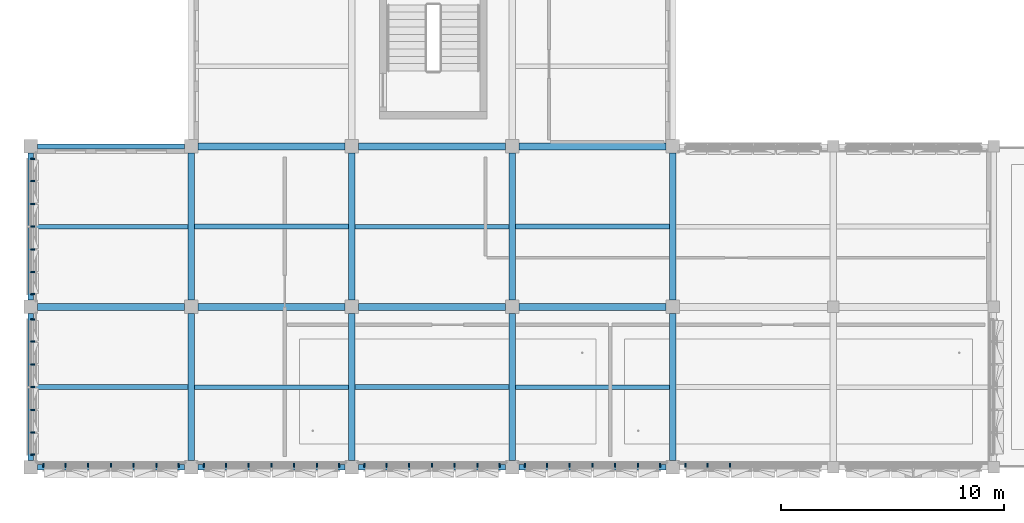
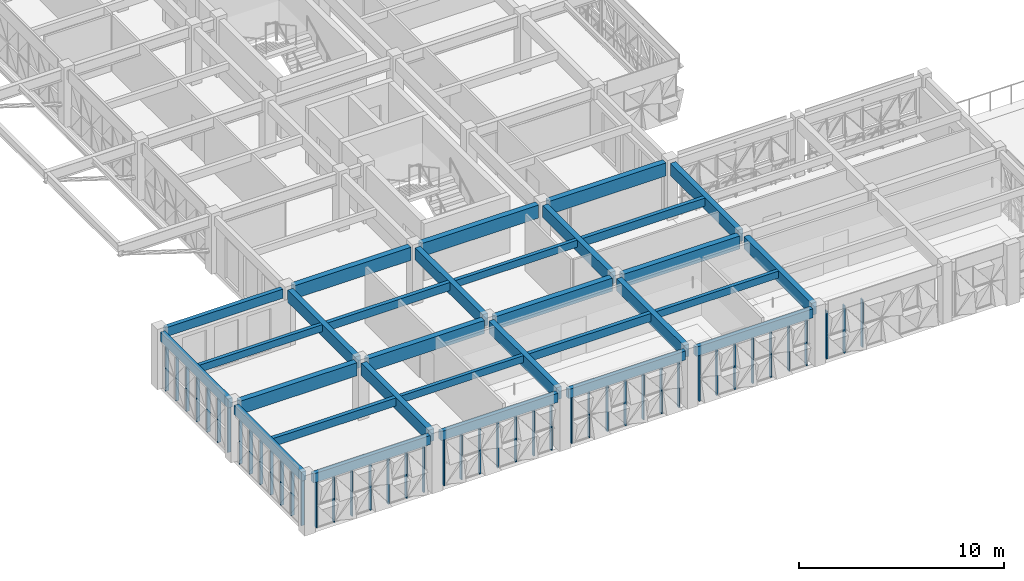
# One storey, part 2 of 99: 45 members, 30 beams, 7 elements without a shape of their own.
"""IFC4 building model written with IfcOpenShell, lengths in metres."""

from ifc_helpers import new_model, si_unit, direction, frame, origin, origin_2d, place, context, subcontext, project, spatial, rectangle, extrude, material, material_profile, profile_set, type_object, element, aggregate, save


model = new_model("IFC4")

# Units and contexts
model_context = context("Model", 3, precision=1e-05, world=origin(), true_north=direction((0.0, 1.0)))
body_context = subcontext(model_context, "Body", "Model", "MODEL_VIEW")
ifc_project = project(units=[si_unit("LENGTHUNIT", "METRE"), si_unit("AREAUNIT", "SQUARE_METRE"), si_unit("VOLUMEUNIT", "CUBIC_METRE"), si_unit("PLANEANGLEUNIT", "RADIAN"), si_unit("MASSUNIT", "GRAM", prefix="KILO")], contexts=[model_context])

# Site, building, storey
site_placement = place(None, origin())
site = spatial("IfcSite", under=ifc_project, at=site_placement, CompositionType="ELEMENT")
building_placement = place(site_placement, origin())
building = spatial("IfcBuilding", under=site, at=building_placement, Name="Alvorim Cloister Faculty of Sciences", CompositionType="ELEMENT")
storey_placement = place(building_placement, frame((0.0, 0.0, 12.14990234375)))
storey = spatial("IfcBuildingStorey", under=building, at=storey_placement, Name="L03", CompositionType="ELEMENT", Elevation=12.14990234375)

# Beams
ifc_material_1 = material(Name="Glulam GL32h", Category="wood")
ifc_material_profile_1 = material_profile(ifc_material_1, rectangle(XDim=0.300048828125, YDim=0.719970703125, at=origin_2d()), Name="GL32-BM-300x720")
ifc_profile_set_1 = profile_set([ifc_material_profile_1], Name="Glulam GL32h")
beam_type_1 = type_object("IfcBeamType", Name="BM-GL-300x720", PredefinedType="BEAM", material=ifc_profile_set_1)
beam_1_placement = place(storey_placement, frame((7.199951171875, 0.300048828125, 3.030029296875), z_axis=(0.0, 1.0, 0.0), x_axis=(-1.0, 0.0, 0.0)))
element("IfcBeam", 1, at=beam_1_placement, inside=storey, type_object=beam_type_1, Name="L03 Primary Girder BM-1586", PredefinedType="BEAM", context=body_context, shape_type="SweptSolid", body=[
    extrude(rectangle(XDim=0.300048828125, YDim=0.719970703125, at=origin_2d()), origin(), (0.0, 0.0, 1.0), 6.599853515625),
])
beam_2_placement = place(storey_placement, frame((7.199951171875, 7.5, 3.030029296875), z_axis=(0.0, 1.0, 0.0), x_axis=(-1.0, 0.0, 0.0)))
element("IfcBeam", 2, at=beam_2_placement, inside=storey, type_object=beam_type_1, Name="L03 Primary Girder BM-1587", PredefinedType="BEAM", context=body_context, shape_type="SweptSolid", body=[
    extrude(rectangle(XDim=0.300048828125, YDim=0.719970703125, at=origin_2d()), origin(), (0.0, 0.0, 1.0), 6.60009765625),
])
beam_3_placement = place(storey_placement, frame((14.39990234375, 0.300048828125, 3.030029296875), z_axis=(0.0, 1.0, 0.0), x_axis=(-1.0, 0.0, 0.0)))
element("IfcBeam", 3, at=beam_3_placement, inside=storey, type_object=beam_type_1, Name="L03 Primary Girder BM-1602", PredefinedType="BEAM", context=body_context, shape_type="SweptSolid", body=[
    extrude(rectangle(XDim=0.300048828125, YDim=0.719970703125, at=origin_2d()), origin(), (0.0, 0.0, 1.0), 6.599853515625),
])
beam_4_placement = place(storey_placement, frame((14.39990234375, 7.5, 3.030029296875), z_axis=(0.0, 1.0, 0.0), x_axis=(-1.0, 0.0, 0.0)))
element("IfcBeam", 4, at=beam_4_placement, inside=storey, type_object=beam_type_1, Name="L03 Primary Girder BM-1603", PredefinedType="BEAM", context=body_context, shape_type="SweptSolid", body=[
    extrude(rectangle(XDim=0.300048828125, YDim=0.719970703125, at=origin_2d()), origin(), (0.0, 0.0, 1.0), 6.60009765625),
])
beam_5_placement = place(storey_placement, frame((21.60009765625, 0.300048828125, 3.030029296875), z_axis=(0.0, 1.0, 0.0), x_axis=(-1.0, 0.0, 0.0)))
element("IfcBeam", 5, at=beam_5_placement, inside=storey, type_object=beam_type_1, Name="L03 Primary Girder BM-1618", PredefinedType="BEAM", context=body_context, shape_type="SweptSolid", body=[
    extrude(rectangle(XDim=0.300048828125, YDim=0.719970703125, at=origin_2d()), origin(), (0.0, 0.0, 1.0), 6.599853515625),
])
beam_6_placement = place(storey_placement, frame((21.60009765625, 7.5, 3.030029296875), z_axis=(0.0, 1.0, 0.0), x_axis=(-1.0, 0.0, 0.0)))
element("IfcBeam", 6, at=beam_6_placement, inside=storey, type_object=beam_type_1, Name="L03 Primary Girder BM-1619", PredefinedType="BEAM", context=body_context, shape_type="SweptSolid", body=[
    extrude(rectangle(XDim=0.300048828125, YDim=0.719970703125, at=origin_2d()), origin(), (0.0, 0.0, 1.0), 6.60009765625),
])
beam_7_placement = place(storey_placement, frame((28.800048828125, 0.300048828125, 3.030029296875), z_axis=(0.0, 1.0, 0.0), x_axis=(-1.0, 0.0, 0.0)))
element("IfcBeam", 7, at=beam_7_placement, inside=storey, type_object=beam_type_1, Name="L03 Primary Girder BM-1634", PredefinedType="BEAM", context=body_context, shape_type="SweptSolid", body=[
    extrude(rectangle(XDim=0.300048828125, YDim=0.719970703125, at=origin_2d()), origin(), (0.0, 0.0, 1.0), 6.599853515625),
])
beam_8_placement = place(storey_placement, frame((28.800048828125, 7.5, 3.030029296875), z_axis=(0.0, 1.0, 0.0), x_axis=(-1.0, 0.0, 0.0)))
element("IfcBeam", 8, at=beam_8_placement, inside=storey, type_object=beam_type_1, Name="L03 Primary Girder BM-1635", PredefinedType="BEAM", context=body_context, shape_type="SweptSolid", body=[
    extrude(rectangle(XDim=0.300048828125, YDim=0.719970703125, at=origin_2d()), origin(), (0.0, 0.0, 1.0), 6.60009765625),
])
ifc_material_profile_2 = material_profile(ifc_material_1, rectangle(XDim=0.320068359375, YDim=0.780029296875, at=origin_2d()), Name="GL32-BM-320x780")
ifc_profile_set_2 = profile_set([ifc_material_profile_2], Name="Glulam GL32h")
beam_type_2 = type_object("IfcBeamType", Name="BM-GL-320x780", PredefinedType="BEAM", material=ifc_profile_set_2)
beam_9_placement = place(storey_placement, frame((0.300048828125, 7.199951171875, 3.0), z_axis=(1.0, 0.0, 0.0), x_axis=(0.0, 1.0, 0.0)))
element("IfcBeam", 9, at=beam_9_placement, inside=storey, type_object=beam_type_2, Name="L03 Primary Beam BM-1513", PredefinedType="BEAM", context=body_context, shape_type="SweptSolid", body=[
    extrude(rectangle(XDim=0.320068359375, YDim=0.780029296875, at=origin_2d()), origin(), (0.0, 0.0, 1.0), 6.599853515625),
])
for number, where, z_axis, x_axis, name in (
    (10, (7.5, 7.199951171875, 3.0), (1.0, 0.0, 0.0), (0.0, 1.0, 0.0), "L03 Primary Beam BM-1514"),
    (11, (14.699951171875, 7.199951171875, 3.0), (1.0, 0.0, 0.0), (0.0, 1.0, 0.0), "L03 Primary Beam BM-1515"),
    (12, (21.89990234375, 7.199951171875, 3.0), (1.0, 0.0, 0.0), (0.0, 1.0, 0.0), "L03 Primary Beam BM-1516"),
    (13, (7.5, 14.39990234375, 3.0), (1.0, 0.0, 0.0), (0.0, 1.0, 0.0), "L03 Primary Beam BM-1522"),
    (14, (14.699951171875, 14.39990234375, 3.0), (1.0, 0.0, 0.0), (0.0, 1.0, 0.0), "L03 Primary Beam BM-1523"),
    (15, (21.89990234375, 14.39990234375, 3.0), (1.0, 0.0, 0.0), (0.0, 1.0, 0.0), "L03 Primary Beam BM-1524"),
):
    element("IfcBeam", number, at=place(storey_placement, frame(where, z_axis=z_axis, x_axis=x_axis)), inside=storey, type_object=beam_type_2, Name=name, PredefinedType="BEAM", context=body_context, shape_type="SweptSolid", body=[
        extrude(rectangle(XDim=0.320068359375, YDim=0.780029296875, at=origin_2d()), origin(), (0.0, 0.0, 1.0), 6.60009765625),
    ])
ifc_material_2 = material(Name="Glulam GL28h", Category="wood")
ifc_material_profile_3 = material_profile(ifc_material_2, rectangle(XDim=0.199951171875, YDim=0.419921875, at=origin_2d()), Name="GL28-JST-200x420")
ifc_profile_set_3 = profile_set([ifc_material_profile_3], Name="Glulam GL28h")
beam_type_3 = type_object("IfcBeamType", Name="BM-JST-GL-200x420", PredefinedType="JOIST", material=ifc_profile_set_3)
beam_10_placement = place(storey_placement, frame((0.1201171875, 10.800048828125, 3.18017578125), z_axis=(1.0, 0.0, 0.0), x_axis=(0.0, 1.0, 0.0)))
element("IfcBeam", 16, at=beam_10_placement, inside=storey, type_object=beam_type_3, Name="L03 Secondary Floor Joist BM-1667", PredefinedType="JOIST", context=body_context, shape_type="SweptSolid", body=[
    extrude(rectangle(XDim=0.199951171875, YDim=0.419921875, at=origin_2d()), origin(), (0.0, 0.0, 1.0), 6.929931640625),
])
for number, where, z_axis, x_axis, name in (
    (17, (7.35009765625, 3.60009765625, 3.18017578125), (1.0, 0.0, 0.0), (0.0, 1.0, 0.0), "L03 Secondary Floor Joist BM-1676"),
    (18, (14.550048828125, 10.800048828125, 3.18017578125), (1.0, 0.0, 0.0), (0.0, 1.0, 0.0), "L03 Secondary Floor Joist BM-1693"),
    (19, (21.75, 3.60009765625, 3.18017578125), (1.0, 0.0, 0.0), (0.0, 1.0, 0.0), "L03 Secondary Floor Joist BM-1700"),
):
    element("IfcBeam", number, at=place(storey_placement, frame(where, z_axis=z_axis, x_axis=x_axis)), inside=storey, type_object=beam_type_3, Name=name, PredefinedType="JOIST", context=body_context, shape_type="SweptSolid", body=[
        extrude(rectangle(XDim=0.199951171875, YDim=0.419921875, at=origin_2d()), origin(), (0.0, 0.0, 1.0), 6.89990234375),
    ])
ifc_material_profile_4 = material_profile(ifc_material_2, rectangle(XDim=0.219970703125, YDim=0.47998046875, at=origin_2d()), Name="GL28-JST-220x480")
ifc_profile_set_4 = profile_set([ifc_material_profile_4], Name="Glulam GL28h")
beam_type_4 = type_object("IfcBeamType", Name="BM-JST-GL-220x480", PredefinedType="JOIST", material=ifc_profile_set_4)
beam_11_placement = place(storey_placement, frame((0.1201171875, 3.60009765625, 3.150146484375), z_axis=(1.0, 0.0, 0.0), x_axis=(0.0, 1.0, 0.0)))
element("IfcBeam", 20, at=beam_11_placement, inside=storey, type_object=beam_type_4, Name="L03 Secondary Floor Joist BM-1666", PredefinedType="JOIST", context=body_context, shape_type="SweptSolid", body=[
    extrude(rectangle(XDim=0.219970703125, YDim=0.47998046875, at=origin_2d()), origin(), (0.0, 0.0, 1.0), 6.929931640625),
])
for number, where, z_axis, x_axis, name in (
    (21, (7.35009765625, 10.800048828125, 3.150146484375), (1.0, 0.0, 0.0), (0.0, 1.0, 0.0), "L03 Secondary Floor Joist BM-1677"),
    (22, (14.550048828125, 3.60009765625, 3.150146484375), (1.0, 0.0, 0.0), (0.0, 1.0, 0.0), "L03 Secondary Floor Joist BM-1692"),
    (23, (21.75, 10.800048828125, 3.150146484375), (1.0, 0.0, 0.0), (0.0, 1.0, 0.0), "L03 Secondary Floor Joist BM-1701"),
):
    element("IfcBeam", number, at=place(storey_placement, frame(where, z_axis=z_axis, x_axis=x_axis)), inside=storey, type_object=beam_type_4, Name=name, PredefinedType="JOIST", context=body_context, shape_type="SweptSolid", body=[
        extrude(rectangle(XDim=0.219970703125, YDim=0.47998046875, at=origin_2d()), origin(), (0.0, 0.0, 1.0), 6.89990234375),
    ])
ifc_material_profile_5 = material_profile(ifc_material_2, rectangle(XDim=0.239990234375, YDim=0.5400390625, at=origin_2d()), Name="GL28-SPD-240x540")
ifc_profile_set_5 = profile_set([ifc_material_profile_5], Name="Glulam GL28h")
beam_type_5 = type_object("IfcBeamType", Name="BM-SPD-GL-240x540", PredefinedType="SPANDREL", material=ifc_profile_set_5)
beam_12_placement = place(storey_placement, frame((0.300048828125, 0.0, 3.1201171875), z_axis=(1.0, 0.0, 0.0), x_axis=(0.0, 1.0, 0.0)))
element("IfcBeam", 24, at=beam_12_placement, inside=storey, type_object=beam_type_5, Name="L03 Primary Beam BM-1500", PredefinedType="SPANDREL", context=body_context, shape_type="SweptSolid", body=[
    extrude(rectangle(XDim=0.239990234375, YDim=0.5400390625, at=origin_2d()), origin(), (0.0, 0.0, 1.0), 6.599853515625),
])
for number, where, z_axis, x_axis, name in (
    (25, (7.5, 0.0, 3.1201171875), (1.0, 0.0, 0.0), (0.0, 1.0, 0.0), "L03 Primary Beam BM-1501"),
    (26, (14.699951171875, 0.0, 3.1201171875), (1.0, 0.0, 0.0), (0.0, 1.0, 0.0), "L03 Primary Beam BM-1502"),
    (27, (21.89990234375, 0.0, 3.1201171875), (1.0, 0.0, 0.0), (0.0, 1.0, 0.0), "L03 Primary Beam BM-1503"),
):
    element("IfcBeam", number, at=place(storey_placement, frame(where, z_axis=z_axis, x_axis=x_axis)), inside=storey, type_object=beam_type_5, Name=name, PredefinedType="SPANDREL", context=body_context, shape_type="SweptSolid", body=[
        extrude(rectangle(XDim=0.239990234375, YDim=0.5400390625, at=origin_2d()), origin(), (0.0, 0.0, 1.0), 6.60009765625),
    ])
for number, where, z_axis, x_axis, name in (
    (28, (0.300048828125, 14.39990234375, 3.1201171875), (1.0, 0.0, 0.0), (0.0, 1.0, 0.0), "L03 Primary Beam BM-1521"),
    (29, (0.0, 0.300048828125, 3.1201171875), (0.0, 1.0, 0.0), (-1.0, 0.0, 0.0), "L03 Primary Girder BM-1576"),
):
    element("IfcBeam", number, at=place(storey_placement, frame(where, z_axis=z_axis, x_axis=x_axis)), inside=storey, type_object=beam_type_5, Name=name, PredefinedType="SPANDREL", context=body_context, shape_type="SweptSolid", body=[
        extrude(rectangle(XDim=0.239990234375, YDim=0.5400390625, at=origin_2d()), origin(), (0.0, 0.0, 1.0), 6.599853515625),
    ])
beam_13_placement = place(storey_placement, frame((0.0, 7.5, 3.1201171875), z_axis=(0.0, 1.0, 0.0), x_axis=(-1.0, 0.0, 0.0)))
element("IfcBeam", 30, at=beam_13_placement, inside=storey, type_object=beam_type_5, Name="L03 Primary Girder BM-1577", PredefinedType="SPANDREL", context=body_context, shape_type="SweptSolid", body=[
    extrude(rectangle(XDim=0.239990234375, YDim=0.5400390625, at=origin_2d()), origin(), (0.0, 0.0, 1.0), 6.60009765625),
])

# Curtain wall, members
ifc_material_3 = material(Name="Aluminium and Low-E Glass Curtain Wall", Category="aluminium")
curtain_wall_type = type_object("IfcCurtainWallType", Name="CW-TRI-6120x2850", PredefinedType="USERDEFINED", material=ifc_material_3)
curtain_wall_1_placement = place(storey_placement, origin())
curtain_wall_1 = element("IfcCurtainWall", 31, at=curtain_wall_1_placement, inside=storey, type_object=curtain_wall_type, Name="L03 Diagonal Cassette Curtain Wall CW-0148", ObjectType="UNITISED CURTAIN WALL", PredefinedType="USERDEFINED")
ifc_material_4 = material(Name="Aluminium Alloy 6063-T6", Category="aluminium")
ifc_material_profile_6 = material_profile(ifc_material_4, rectangle(XDim=0.06494140625, YDim=0.179931640625, at=origin_2d()), Name="ALU-MUL-65x180")
ifc_profile_set_6 = profile_set([ifc_material_profile_6], Name="Aluminium Alloy 6063-T6")
member_type = type_object("IfcMemberType", Name="CW-MUL-65x180", PredefinedType="MULLION", material=ifc_profile_set_6)
member_1_placement = place(storey_placement, frame((29.37255859375, 0.090087890625, 0.0), z_axis=(0.0, 0.0, 1.0), x_axis=(1.0, 0.0, 0.0)))
member_1 = element("IfcMember", 32, at=member_1_placement, type_object=member_type, Name="CW-0148 Mullion 1", PredefinedType="MULLION", context=body_context, shape_type="SweptSolid", body=[
    extrude(rectangle(XDim=0.06494140625, YDim=0.179931640625, at=origin_2d()), origin(), (0.0, 0.0, 1.0), 2.85009765625),
])
member_2_placement = place(storey_placement, frame((30.360107421875, 0.090087890625, 0.0), z_axis=(0.0, 0.0, 1.0), x_axis=(1.0, 0.0, 0.0)))
member_2 = element("IfcMember", 33, at=member_2_placement, type_object=member_type, Name="CW-0148 Mullion 2", PredefinedType="MULLION", context=body_context, shape_type="SweptSolid", body=[
    extrude(rectangle(XDim=0.06494140625, YDim=0.179931640625, at=origin_2d()), origin(), (0.0, 0.0, 1.0), 2.85009765625),
])
member_3_placement = place(storey_placement, frame((31.3798828125, 0.090087890625, 0.0), z_axis=(0.0, 0.0, 1.0), x_axis=(1.0, 0.0, 0.0)))
member_3 = element("IfcMember", 34, at=member_3_placement, type_object=member_type, Name="CW-0148 Mullion 3", PredefinedType="MULLION", context=body_context, shape_type="SweptSolid", body=[
    extrude(rectangle(XDim=0.06494140625, YDim=0.179931640625, at=origin_2d()), origin(), (0.0, 0.0, 1.0), 2.85009765625),
])
aggregate(curtain_wall_1, [member_1, member_2, member_3])

curtain_wall_2_placement = place(storey_placement, origin())
curtain_wall_2 = element("IfcCurtainWall", 35, at=curtain_wall_2_placement, inside=storey, type_object=curtain_wall_type, Name="L03 Diagonal Cassette Curtain Wall CW-0149", ObjectType="UNITISED CURTAIN WALL", PredefinedType="USERDEFINED")
member_4_placement = place(storey_placement, frame((22.172607421875, 0.090087890625, 0.0), z_axis=(0.0, 0.0, 1.0), x_axis=(1.0, 0.0, 0.0)))
member_4 = element("IfcMember", 36, at=member_4_placement, type_object=member_type, Name="CW-0149 Mullion 1", PredefinedType="MULLION", context=body_context, shape_type="SweptSolid", body=[
    extrude(rectangle(XDim=0.06494140625, YDim=0.179931640625, at=origin_2d()), origin(), (0.0, 0.0, 1.0), 2.85009765625),
])
member_5_placement = place(storey_placement, frame((23.159912109375, 0.090087890625, 0.0), z_axis=(0.0, 0.0, 1.0), x_axis=(1.0, 0.0, 0.0)))
member_5 = element("IfcMember", 37, at=member_5_placement, type_object=member_type, Name="CW-0149 Mullion 2", PredefinedType="MULLION", context=body_context, shape_type="SweptSolid", body=[
    extrude(rectangle(XDim=0.06494140625, YDim=0.179931640625, at=origin_2d()), origin(), (0.0, 0.0, 1.0), 2.85009765625),
])
member_6_placement = place(storey_placement, frame((24.179931640625, 0.090087890625, 0.0), z_axis=(0.0, 0.0, 1.0), x_axis=(1.0, 0.0, 0.0)))
member_6 = element("IfcMember", 38, at=member_6_placement, type_object=member_type, Name="CW-0149 Mullion 3", PredefinedType="MULLION", context=body_context, shape_type="SweptSolid", body=[
    extrude(rectangle(XDim=0.06494140625, YDim=0.179931640625, at=origin_2d()), origin(), (0.0, 0.0, 1.0), 2.85009765625),
])
member_7_placement = place(storey_placement, frame((25.199951171875, 0.090087890625, 0.0), z_axis=(0.0, 0.0, 1.0), x_axis=(1.0, 0.0, 0.0)))
member_7 = element("IfcMember", 39, at=member_7_placement, type_object=member_type, Name="CW-0149 Mullion 4", PredefinedType="MULLION", context=body_context, shape_type="SweptSolid", body=[
    extrude(rectangle(XDim=0.06494140625, YDim=0.179931640625, at=origin_2d()), origin(), (0.0, 0.0, 1.0), 2.85009765625),
])
member_8_placement = place(storey_placement, frame((26.219970703125, 0.090087890625, 0.0), z_axis=(0.0, 0.0, 1.0), x_axis=(1.0, 0.0, 0.0)))
member_8 = element("IfcMember", 40, at=member_8_placement, type_object=member_type, Name="CW-0149 Mullion 5", PredefinedType="MULLION", context=body_context, shape_type="SweptSolid", body=[
    extrude(rectangle(XDim=0.06494140625, YDim=0.179931640625, at=origin_2d()), origin(), (0.0, 0.0, 1.0), 2.85009765625),
])
member_9_placement = place(storey_placement, frame((27.239990234375, 0.090087890625, 0.0), z_axis=(0.0, 0.0, 1.0), x_axis=(1.0, 0.0, 0.0)))
member_9 = element("IfcMember", 41, at=member_9_placement, type_object=member_type, Name="CW-0149 Mullion 6", PredefinedType="MULLION", context=body_context, shape_type="SweptSolid", body=[
    extrude(rectangle(XDim=0.06494140625, YDim=0.179931640625, at=origin_2d()), origin(), (0.0, 0.0, 1.0), 2.85009765625),
])
member_10_placement = place(storey_placement, frame((28.2275390625, 0.090087890625, 0.0), z_axis=(0.0, 0.0, 1.0), x_axis=(1.0, 0.0, 0.0)))
member_10 = element("IfcMember", 42, at=member_10_placement, type_object=member_type, Name="CW-0149 Mullion 7", PredefinedType="MULLION", context=body_context, shape_type="SweptSolid", body=[
    extrude(rectangle(XDim=0.06494140625, YDim=0.179931640625, at=origin_2d()), origin(), (0.0, 0.0, 1.0), 2.85009765625),
])
aggregate(curtain_wall_2, [member_4, member_5, member_6, member_7, member_8, member_9, member_10])

curtain_wall_3_placement = place(storey_placement, origin())
curtain_wall_3 = element("IfcCurtainWall", 43, at=curtain_wall_3_placement, inside=storey, type_object=curtain_wall_type, Name="L03 Diagonal Cassette Curtain Wall CW-0150", ObjectType="UNITISED CURTAIN WALL", PredefinedType="USERDEFINED")
member_11_placement = place(storey_placement, frame((14.972412109375, 0.090087890625, 0.0), z_axis=(0.0, 0.0, 1.0), x_axis=(1.0, 0.0, 0.0)))
member_11 = element("IfcMember", 44, at=member_11_placement, type_object=member_type, Name="CW-0150 Mullion 1", PredefinedType="MULLION", context=body_context, shape_type="SweptSolid", body=[
    extrude(rectangle(XDim=0.06494140625, YDim=0.179931640625, at=origin_2d()), origin(), (0.0, 0.0, 1.0), 2.85009765625),
])
member_12_placement = place(storey_placement, frame((15.9599609375, 0.090087890625, 0.0), z_axis=(0.0, 0.0, 1.0), x_axis=(1.0, 0.0, 0.0)))
member_12 = element("IfcMember", 45, at=member_12_placement, type_object=member_type, Name="CW-0150 Mullion 2", PredefinedType="MULLION", context=body_context, shape_type="SweptSolid", body=[
    extrude(rectangle(XDim=0.06494140625, YDim=0.179931640625, at=origin_2d()), origin(), (0.0, 0.0, 1.0), 2.85009765625),
])
member_13_placement = place(storey_placement, frame((16.97998046875, 0.090087890625, 0.0), z_axis=(0.0, 0.0, 1.0), x_axis=(1.0, 0.0, 0.0)))
member_13 = element("IfcMember", 46, at=member_13_placement, type_object=member_type, Name="CW-0150 Mullion 3", PredefinedType="MULLION", context=body_context, shape_type="SweptSolid", body=[
    extrude(rectangle(XDim=0.06494140625, YDim=0.179931640625, at=origin_2d()), origin(), (0.0, 0.0, 1.0), 2.85009765625),
])
member_14_placement = place(storey_placement, frame((18.0, 0.090087890625, 0.0), z_axis=(0.0, 0.0, 1.0), x_axis=(1.0, 0.0, 0.0)))
member_14 = element("IfcMember", 47, at=member_14_placement, type_object=member_type, Name="CW-0150 Mullion 4", PredefinedType="MULLION", context=body_context, shape_type="SweptSolid", body=[
    extrude(rectangle(XDim=0.06494140625, YDim=0.179931640625, at=origin_2d()), origin(), (0.0, 0.0, 1.0), 2.85009765625),
])
member_15_placement = place(storey_placement, frame((19.02001953125, 0.090087890625, 0.0), z_axis=(0.0, 0.0, 1.0), x_axis=(1.0, 0.0, 0.0)))
member_15 = element("IfcMember", 48, at=member_15_placement, type_object=member_type, Name="CW-0150 Mullion 5", PredefinedType="MULLION", context=body_context, shape_type="SweptSolid", body=[
    extrude(rectangle(XDim=0.06494140625, YDim=0.179931640625, at=origin_2d()), origin(), (0.0, 0.0, 1.0), 2.85009765625),
])
member_16_placement = place(storey_placement, frame((20.0400390625, 0.090087890625, 0.0), z_axis=(0.0, 0.0, 1.0), x_axis=(1.0, 0.0, 0.0)))
member_16 = element("IfcMember", 49, at=member_16_placement, type_object=member_type, Name="CW-0150 Mullion 6", PredefinedType="MULLION", context=body_context, shape_type="SweptSolid", body=[
    extrude(rectangle(XDim=0.06494140625, YDim=0.179931640625, at=origin_2d()), origin(), (0.0, 0.0, 1.0), 2.85009765625),
])
member_17_placement = place(storey_placement, frame((21.027587890625, 0.090087890625, 0.0), z_axis=(0.0, 0.0, 1.0), x_axis=(1.0, 0.0, 0.0)))
member_17 = element("IfcMember", 50, at=member_17_placement, type_object=member_type, Name="CW-0150 Mullion 7", PredefinedType="MULLION", context=body_context, shape_type="SweptSolid", body=[
    extrude(rectangle(XDim=0.06494140625, YDim=0.179931640625, at=origin_2d()), origin(), (0.0, 0.0, 1.0), 2.85009765625),
])
aggregate(curtain_wall_3, [member_11, member_12, member_13, member_14, member_15, member_16, member_17])

curtain_wall_4_placement = place(storey_placement, origin())
curtain_wall_4 = element("IfcCurtainWall", 51, at=curtain_wall_4_placement, inside=storey, type_object=curtain_wall_type, Name="L03 Diagonal Cassette Curtain Wall CW-0151", ObjectType="UNITISED CURTAIN WALL", PredefinedType="USERDEFINED")
member_18_placement = place(storey_placement, frame((7.7724609375, 0.090087890625, 0.0), z_axis=(0.0, 0.0, 1.0), x_axis=(1.0, 0.0, 0.0)))
member_18 = element("IfcMember", 52, at=member_18_placement, type_object=member_type, Name="CW-0151 Mullion 1", PredefinedType="MULLION", context=body_context, shape_type="SweptSolid", body=[
    extrude(rectangle(XDim=0.06494140625, YDim=0.179931640625, at=origin_2d()), origin(), (0.0, 0.0, 1.0), 2.85009765625),
])
member_19_placement = place(storey_placement, frame((8.760009765625, 0.090087890625, 0.0), z_axis=(0.0, 0.0, 1.0), x_axis=(1.0, 0.0, 0.0)))
member_19 = element("IfcMember", 53, at=member_19_placement, type_object=member_type, Name="CW-0151 Mullion 2", PredefinedType="MULLION", context=body_context, shape_type="SweptSolid", body=[
    extrude(rectangle(XDim=0.06494140625, YDim=0.179931640625, at=origin_2d()), origin(), (0.0, 0.0, 1.0), 2.85009765625),
])
member_20_placement = place(storey_placement, frame((9.780029296875, 0.090087890625, 0.0), z_axis=(0.0, 0.0, 1.0), x_axis=(1.0, 0.0, 0.0)))
member_20 = element("IfcMember", 54, at=member_20_placement, type_object=member_type, Name="CW-0151 Mullion 3", PredefinedType="MULLION", context=body_context, shape_type="SweptSolid", body=[
    extrude(rectangle(XDim=0.06494140625, YDim=0.179931640625, at=origin_2d()), origin(), (0.0, 0.0, 1.0), 2.85009765625),
])
member_21_placement = place(storey_placement, frame((10.800048828125, 0.090087890625, 0.0), z_axis=(0.0, 0.0, 1.0), x_axis=(1.0, 0.0, 0.0)))
member_21 = element("IfcMember", 55, at=member_21_placement, type_object=member_type, Name="CW-0151 Mullion 4", PredefinedType="MULLION", context=body_context, shape_type="SweptSolid", body=[
    extrude(rectangle(XDim=0.06494140625, YDim=0.179931640625, at=origin_2d()), origin(), (0.0, 0.0, 1.0), 2.85009765625),
])
member_22_placement = place(storey_placement, frame((11.820068359375, 0.090087890625, 0.0), z_axis=(0.0, 0.0, 1.0), x_axis=(1.0, 0.0, 0.0)))
member_22 = element("IfcMember", 56, at=member_22_placement, type_object=member_type, Name="CW-0151 Mullion 5", PredefinedType="MULLION", context=body_context, shape_type="SweptSolid", body=[
    extrude(rectangle(XDim=0.06494140625, YDim=0.179931640625, at=origin_2d()), origin(), (0.0, 0.0, 1.0), 2.85009765625),
])
member_23_placement = place(storey_placement, frame((12.840087890625, 0.090087890625, 0.0), z_axis=(0.0, 0.0, 1.0), x_axis=(1.0, 0.0, 0.0)))
member_23 = element("IfcMember", 57, at=member_23_placement, type_object=member_type, Name="CW-0151 Mullion 6", PredefinedType="MULLION", context=body_context, shape_type="SweptSolid", body=[
    extrude(rectangle(XDim=0.06494140625, YDim=0.179931640625, at=origin_2d()), origin(), (0.0, 0.0, 1.0), 2.85009765625),
])
member_24_placement = place(storey_placement, frame((13.827392578125, 0.090087890625, 0.0), z_axis=(0.0, 0.0, 1.0), x_axis=(1.0, 0.0, 0.0)))
member_24 = element("IfcMember", 58, at=member_24_placement, type_object=member_type, Name="CW-0151 Mullion 7", PredefinedType="MULLION", context=body_context, shape_type="SweptSolid", body=[
    extrude(rectangle(XDim=0.06494140625, YDim=0.179931640625, at=origin_2d()), origin(), (0.0, 0.0, 1.0), 2.85009765625),
])
aggregate(curtain_wall_4, [member_18, member_19, member_20, member_21, member_22, member_23, member_24])

curtain_wall_5_placement = place(storey_placement, origin())
curtain_wall_5 = element("IfcCurtainWall", 59, at=curtain_wall_5_placement, inside=storey, type_object=curtain_wall_type, Name="L03 Diagonal Cassette Curtain Wall CW-0152", ObjectType="UNITISED CURTAIN WALL", PredefinedType="USERDEFINED")
member_25_placement = place(storey_placement, frame((0.572509765625, 0.090087890625, 0.0), z_axis=(0.0, 0.0, 1.0), x_axis=(1.0, 0.0, 0.0)))
member_25 = element("IfcMember", 60, at=member_25_placement, type_object=member_type, Name="CW-0152 Mullion 1", PredefinedType="MULLION", context=body_context, shape_type="SweptSolid", body=[
    extrude(rectangle(XDim=0.06494140625, YDim=0.179931640625, at=origin_2d()), origin(), (0.0, 0.0, 1.0), 2.85009765625),
])
member_26_placement = place(storey_placement, frame((1.56005859375, 0.090087890625, 0.0), z_axis=(0.0, 0.0, 1.0), x_axis=(1.0, 0.0, 0.0)))
member_26 = element("IfcMember", 61, at=member_26_placement, type_object=member_type, Name="CW-0152 Mullion 2", PredefinedType="MULLION", context=body_context, shape_type="SweptSolid", body=[
    extrude(rectangle(XDim=0.06494140625, YDim=0.179931640625, at=origin_2d()), origin(), (0.0, 0.0, 1.0), 2.85009765625),
])
member_27_placement = place(storey_placement, frame((2.580078125, 0.090087890625, 0.0), z_axis=(0.0, 0.0, 1.0), x_axis=(1.0, 0.0, 0.0)))
member_27 = element("IfcMember", 62, at=member_27_placement, type_object=member_type, Name="CW-0152 Mullion 3", PredefinedType="MULLION", context=body_context, shape_type="SweptSolid", body=[
    extrude(rectangle(XDim=0.06494140625, YDim=0.179931640625, at=origin_2d()), origin(), (0.0, 0.0, 1.0), 2.85009765625),
])
member_28_placement = place(storey_placement, frame((3.60009765625, 0.090087890625, 0.0), z_axis=(0.0, 0.0, 1.0), x_axis=(1.0, 0.0, 0.0)))
member_28 = element("IfcMember", 63, at=member_28_placement, type_object=member_type, Name="CW-0152 Mullion 4", PredefinedType="MULLION", context=body_context, shape_type="SweptSolid", body=[
    extrude(rectangle(XDim=0.06494140625, YDim=0.179931640625, at=origin_2d()), origin(), (0.0, 0.0, 1.0), 2.85009765625),
])
member_29_placement = place(storey_placement, frame((4.6201171875, 0.090087890625, 0.0), z_axis=(0.0, 0.0, 1.0), x_axis=(1.0, 0.0, 0.0)))
member_29 = element("IfcMember", 64, at=member_29_placement, type_object=member_type, Name="CW-0152 Mullion 5", PredefinedType="MULLION", context=body_context, shape_type="SweptSolid", body=[
    extrude(rectangle(XDim=0.06494140625, YDim=0.179931640625, at=origin_2d()), origin(), (0.0, 0.0, 1.0), 2.85009765625),
])
member_30_placement = place(storey_placement, frame((5.639892578125, 0.090087890625, 0.0), z_axis=(0.0, 0.0, 1.0), x_axis=(1.0, 0.0, 0.0)))
member_30 = element("IfcMember", 65, at=member_30_placement, type_object=member_type, Name="CW-0152 Mullion 6", PredefinedType="MULLION", context=body_context, shape_type="SweptSolid", body=[
    extrude(rectangle(XDim=0.06494140625, YDim=0.179931640625, at=origin_2d()), origin(), (0.0, 0.0, 1.0), 2.85009765625),
])
member_31_placement = place(storey_placement, frame((6.62744140625, 0.090087890625, 0.0), z_axis=(0.0, 0.0, 1.0), x_axis=(1.0, 0.0, 0.0)))
member_31 = element("IfcMember", 66, at=member_31_placement, type_object=member_type, Name="CW-0152 Mullion 7", PredefinedType="MULLION", context=body_context, shape_type="SweptSolid", body=[
    extrude(rectangle(XDim=0.06494140625, YDim=0.179931640625, at=origin_2d()), origin(), (0.0, 0.0, 1.0), 2.85009765625),
])
aggregate(curtain_wall_5, [member_25, member_26, member_27, member_28, member_29, member_30, member_31])

curtain_wall_6_placement = place(storey_placement, origin())
curtain_wall_6 = element("IfcCurtainWall", 67, at=curtain_wall_6_placement, inside=storey, type_object=curtain_wall_type, Name="L03 Diagonal Cassette Curtain Wall CW-0153", ObjectType="UNITISED CURTAIN WALL", PredefinedType="USERDEFINED")
member_32_placement = place(storey_placement, frame((0.090087890625, 0.572509765625, 0.0), z_axis=(0.0, 0.0, 1.0), x_axis=(0.0, 1.0, 0.0)))
member_32 = element("IfcMember", 68, at=member_32_placement, type_object=member_type, Name="CW-0153 Mullion 1", PredefinedType="MULLION", context=body_context, shape_type="SweptSolid", body=[
    extrude(rectangle(XDim=0.06494140625, YDim=0.179931640625, at=origin_2d()), origin(), (0.0, 0.0, 1.0), 2.85009765625),
])
member_33_placement = place(storey_placement, frame((0.090087890625, 1.56005859375, 0.0), z_axis=(0.0, 0.0, 1.0), x_axis=(0.0, 1.0, 0.0)))
member_33 = element("IfcMember", 69, at=member_33_placement, type_object=member_type, Name="CW-0153 Mullion 2", PredefinedType="MULLION", context=body_context, shape_type="SweptSolid", body=[
    extrude(rectangle(XDim=0.06494140625, YDim=0.179931640625, at=origin_2d()), origin(), (0.0, 0.0, 1.0), 2.85009765625),
])
member_34_placement = place(storey_placement, frame((0.090087890625, 2.580078125, 0.0), z_axis=(0.0, 0.0, 1.0), x_axis=(0.0, 1.0, 0.0)))
member_34 = element("IfcMember", 70, at=member_34_placement, type_object=member_type, Name="CW-0153 Mullion 3", PredefinedType="MULLION", context=body_context, shape_type="SweptSolid", body=[
    extrude(rectangle(XDim=0.06494140625, YDim=0.179931640625, at=origin_2d()), origin(), (0.0, 0.0, 1.0), 2.85009765625),
])
member_35_placement = place(storey_placement, frame((0.090087890625, 3.60009765625, 0.0), z_axis=(0.0, 0.0, 1.0), x_axis=(0.0, 1.0, 0.0)))
member_35 = element("IfcMember", 71, at=member_35_placement, type_object=member_type, Name="CW-0153 Mullion 4", PredefinedType="MULLION", context=body_context, shape_type="SweptSolid", body=[
    extrude(rectangle(XDim=0.06494140625, YDim=0.179931640625, at=origin_2d()), origin(), (0.0, 0.0, 1.0), 2.85009765625),
])
member_36_placement = place(storey_placement, frame((0.090087890625, 4.6201171875, 0.0), z_axis=(0.0, 0.0, 1.0), x_axis=(0.0, 1.0, 0.0)))
member_36 = element("IfcMember", 72, at=member_36_placement, type_object=member_type, Name="CW-0153 Mullion 5", PredefinedType="MULLION", context=body_context, shape_type="SweptSolid", body=[
    extrude(rectangle(XDim=0.06494140625, YDim=0.179931640625, at=origin_2d()), origin(), (0.0, 0.0, 1.0), 2.85009765625),
])
member_37_placement = place(storey_placement, frame((0.090087890625, 5.639892578125, 0.0), z_axis=(0.0, 0.0, 1.0), x_axis=(0.0, 1.0, 0.0)))
member_37 = element("IfcMember", 73, at=member_37_placement, type_object=member_type, Name="CW-0153 Mullion 6", PredefinedType="MULLION", context=body_context, shape_type="SweptSolid", body=[
    extrude(rectangle(XDim=0.06494140625, YDim=0.179931640625, at=origin_2d()), origin(), (0.0, 0.0, 1.0), 2.85009765625),
])
member_38_placement = place(storey_placement, frame((0.090087890625, 6.62744140625, 0.0), z_axis=(0.0, 0.0, 1.0), x_axis=(0.0, 1.0, 0.0)))
member_38 = element("IfcMember", 74, at=member_38_placement, type_object=member_type, Name="CW-0153 Mullion 7", PredefinedType="MULLION", context=body_context, shape_type="SweptSolid", body=[
    extrude(rectangle(XDim=0.06494140625, YDim=0.179931640625, at=origin_2d()), origin(), (0.0, 0.0, 1.0), 2.85009765625),
])
aggregate(curtain_wall_6, [member_32, member_33, member_34, member_35, member_36, member_37, member_38])

curtain_wall_7_placement = place(storey_placement, origin())
curtain_wall_7 = element("IfcCurtainWall", 75, at=curtain_wall_7_placement, inside=storey, type_object=curtain_wall_type, Name="L03 Diagonal Cassette Curtain Wall CW-0154", ObjectType="UNITISED CURTAIN WALL", PredefinedType="USERDEFINED")
member_39_placement = place(storey_placement, frame((0.090087890625, 7.7724609375, 0.0), z_axis=(0.0, 0.0, 1.0), x_axis=(0.0, 1.0, 0.0)))
member_39 = element("IfcMember", 76, at=member_39_placement, type_object=member_type, Name="CW-0154 Mullion 1", PredefinedType="MULLION", context=body_context, shape_type="SweptSolid", body=[
    extrude(rectangle(XDim=0.06494140625, YDim=0.179931640625, at=origin_2d()), origin(), (0.0, 0.0, 1.0), 2.85009765625),
])
member_40_placement = place(storey_placement, frame((0.090087890625, 8.760009765625, 0.0), z_axis=(0.0, 0.0, 1.0), x_axis=(0.0, 1.0, 0.0)))
member_40 = element("IfcMember", 77, at=member_40_placement, type_object=member_type, Name="CW-0154 Mullion 2", PredefinedType="MULLION", context=body_context, shape_type="SweptSolid", body=[
    extrude(rectangle(XDim=0.06494140625, YDim=0.179931640625, at=origin_2d()), origin(), (0.0, 0.0, 1.0), 2.85009765625),
])
member_41_placement = place(storey_placement, frame((0.090087890625, 9.780029296875, 0.0), z_axis=(0.0, 0.0, 1.0), x_axis=(0.0, 1.0, 0.0)))
member_41 = element("IfcMember", 78, at=member_41_placement, type_object=member_type, Name="CW-0154 Mullion 3", PredefinedType="MULLION", context=body_context, shape_type="SweptSolid", body=[
    extrude(rectangle(XDim=0.06494140625, YDim=0.179931640625, at=origin_2d()), origin(), (0.0, 0.0, 1.0), 2.85009765625),
])
member_42_placement = place(storey_placement, frame((0.090087890625, 10.800048828125, 0.0), z_axis=(0.0, 0.0, 1.0), x_axis=(0.0, 1.0, 0.0)))
member_42 = element("IfcMember", 79, at=member_42_placement, type_object=member_type, Name="CW-0154 Mullion 4", PredefinedType="MULLION", context=body_context, shape_type="SweptSolid", body=[
    extrude(rectangle(XDim=0.06494140625, YDim=0.179931640625, at=origin_2d()), origin(), (0.0, 0.0, 1.0), 2.85009765625),
])
member_43_placement = place(storey_placement, frame((0.090087890625, 11.820068359375, 0.0), z_axis=(0.0, 0.0, 1.0), x_axis=(0.0, 1.0, 0.0)))
member_43 = element("IfcMember", 80, at=member_43_placement, type_object=member_type, Name="CW-0154 Mullion 5", PredefinedType="MULLION", context=body_context, shape_type="SweptSolid", body=[
    extrude(rectangle(XDim=0.06494140625, YDim=0.179931640625, at=origin_2d()), origin(), (0.0, 0.0, 1.0), 2.85009765625),
])
member_44_placement = place(storey_placement, frame((0.090087890625, 12.840087890625, 0.0), z_axis=(0.0, 0.0, 1.0), x_axis=(0.0, 1.0, 0.0)))
member_44 = element("IfcMember", 81, at=member_44_placement, type_object=member_type, Name="CW-0154 Mullion 6", PredefinedType="MULLION", context=body_context, shape_type="SweptSolid", body=[
    extrude(rectangle(XDim=0.06494140625, YDim=0.179931640625, at=origin_2d()), origin(), (0.0, 0.0, 1.0), 2.85009765625),
])
member_45_placement = place(storey_placement, frame((0.090087890625, 13.827392578125, 0.0), z_axis=(0.0, 0.0, 1.0), x_axis=(0.0, 1.0, 0.0)))
member_45 = element("IfcMember", 82, at=member_45_placement, type_object=member_type, Name="CW-0154 Mullion 7", PredefinedType="MULLION", context=body_context, shape_type="SweptSolid", body=[
    extrude(rectangle(XDim=0.06494140625, YDim=0.179931640625, at=origin_2d()), origin(), (0.0, 0.0, 1.0), 2.85009765625),
])
aggregate(curtain_wall_7, [member_39, member_40, member_41, member_42, member_43, member_44, member_45])

save(model, "model.ifc")
